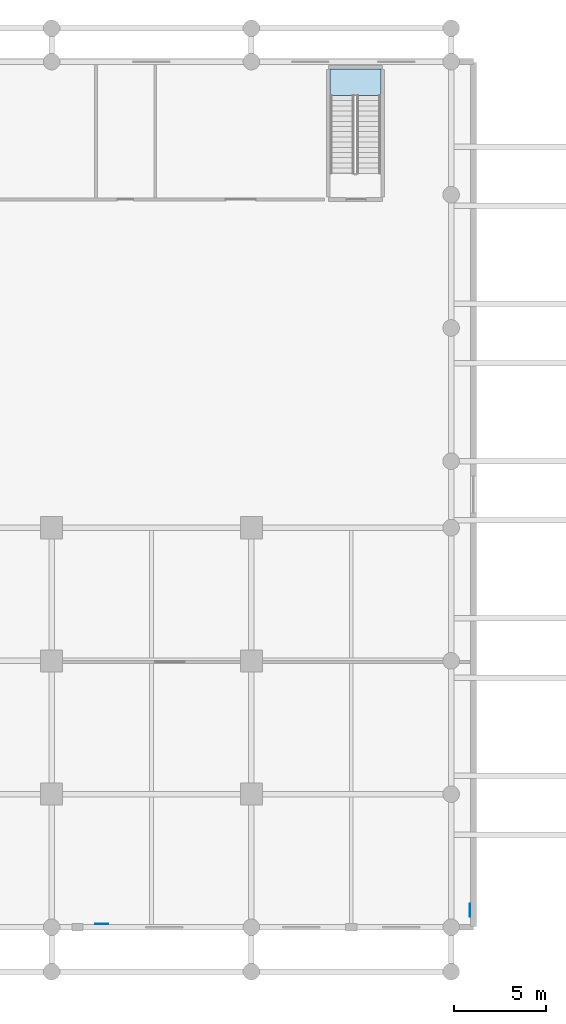
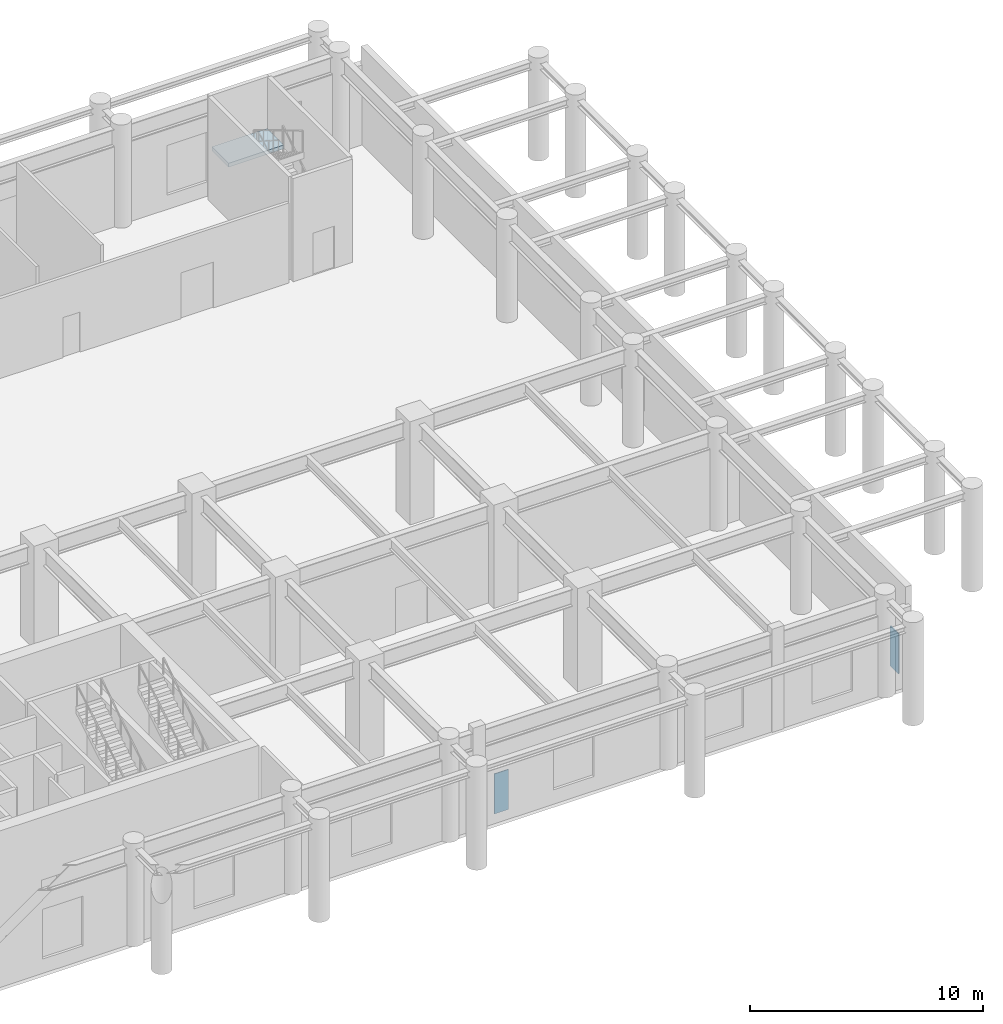
# One storey, part 14 of 23: 2 plates, 1 slab, 1 element without a shape of its own.
"""IFC4 building model written with IfcOpenShell, lengths in metres."""

from ifc_helpers import new_model, si_unit, derived_unit, direction, frame, origin, origin_2d, place, context, subcontext, project, spatial, polyline, rectangle, outline, extrude, source, transform, mapped, material, layer, layer_set, type_object, type_shapes, element, aggregate, save


model = new_model("IFC4")

# Units and contexts
model_context = context("Model", 3, precision=1e-05, world=origin(), true_north=direction((0.0, 1.0)))
body_context = subcontext(model_context, "Body", "Model", "MODEL_VIEW")
ifc_project = project(units=[si_unit("LENGTHUNIT", "METRE"), si_unit("AREAUNIT", "SQUARE_METRE"), si_unit("VOLUMEUNIT", "CUBIC_METRE"), si_unit("PLANEANGLEUNIT", "RADIAN"), si_unit("MASSUNIT", "GRAM", prefix="KILO"), si_unit("THERMODYNAMICTEMPERATUREUNIT", "KELVIN"), si_unit("POWERUNIT", "WATT"), derived_unit("THERMALTRANSMITTANCEUNIT", [(si_unit("POWERUNIT", "WATT"), 1), (si_unit("AREAUNIT", "SQUARE_METRE"), -1), (si_unit("THERMODYNAMICTEMPERATUREUNIT", "KELVIN"), -1)])], contexts=[model_context])

# Site, building, storey
site_placement = place(None, origin())
site = spatial("IfcSite", under=ifc_project, at=site_placement, CompositionType="ELEMENT")
building_placement = place(site_placement, origin())
building = spatial("IfcBuilding", under=site, at=building_placement, Name="Zahravan Archway Hotel and Residences", CompositionType="ELEMENT")
storey_placement = place(building_placement, frame((0.0, 0.0, 5.39990234375)))
storey = spatial("IfcBuildingStorey", under=building, at=storey_placement, Name="L01", CompositionType="ELEMENT", Elevation=5.39990234375)

# Stair, slab
ifc_material_1 = material(Name="Concrete C50/60", Category="concrete")
stair_type = type_object("IfcStairType", Name="STR-CORE-1300", PredefinedType="HALF_TURN_STAIR", material=ifc_material_1)
stair_placement = place(storey_placement, origin())
stair = element("IfcStair", 1, at=stair_placement, inside=storey, type_object=stair_type, Name="L01 East Station Galleria Exit Stair", PredefinedType="HALF_TURN_STAIR")
ifc_layer_1 = layer(ifc_material_1, 0.199951171875, Name="Concrete C50/60", Category="concrete")
ifc_layer_set_1 = layer_set([ifc_layer_1], Name="Concrete C50/60")
slab_type = type_object("IfcSlabType", Name="SLB-LND-200", PredefinedType="LANDING", material=ifc_layer_set_1)
slab_placement = place(storey_placement, frame((0.0, 0.0, 2.5)))
slab = element("IfcSlab", 2, at=slab_placement, type_object=slab_type, Name="ST-P1 landing 1", PredefinedType="LANDING", context=body_context, shape_type="SweptSolid", body=[
    extrude(outline(polyline([(75.39990234375, 44.969970703125), (75.39990234375, 46.39990234375), (72.659912109375, 46.39990234375), (72.659912109375, 44.969970703125), (75.39990234375, 44.969970703125)])), origin(), (0.0, 0.0, 1.0), 0.2001953125),
])
aggregate(stair, [slab])

# Plates
ifc_material_2 = material(Name="Perforated Cast Bronze Jali Lattice")
ifc_layer_2 = layer(ifc_material_2, 0.044921875, Name="Perforated Cast Bronze Jali Lattice")
ifc_layer_set_2 = layer_set([ifc_layer_2], Name="Perforated Cast Bronze Jali Lattice")
plate_type = type_object("IfcPlateType", Name="PLT-JALI-BAY", PredefinedType="USERDEFINED", material=ifc_layer_set_2)
shared_shape = source(origin(), body_context, "Body", "SweptSolid", [
    extrude(rectangle(XDim=0.699951171875, YDim=0.044921875, at=origin_2d()), origin(), (0.0, 0.0, 1.0), 2.10009765625),
])
type_shapes(plate_type, [shared_shape])
for number, where, z_axis, x_axis, name in (
    (3, (60.300048828125, 0.177978515625, 0.25), (0.0, 0.0, 1.0), (1.0, 0.0, 0.0), "L01 Podium Mughal Jali Pier Screen 07"),
    (4, (80.221923828125, 0.919921875, 0.25), (0.0, 0.0, 1.0), (0.0, 1.0, 0.0), "L01 Podium Mughal Jali Pier Screen 08"),
):
    element("IfcPlate", number, at=place(storey_placement, frame(where, z_axis=z_axis, x_axis=x_axis)), inside=storey, type_object=plate_type, Name=name, ObjectType="SCREEN", PredefinedType="USERDEFINED", context=body_context, shape_type="MappedRepresentation", body=[
        mapped(shared_shape, transform((0.0, 0.0, 0.0), scale=1.0)),
    ])

save(model, "model.ifc")
